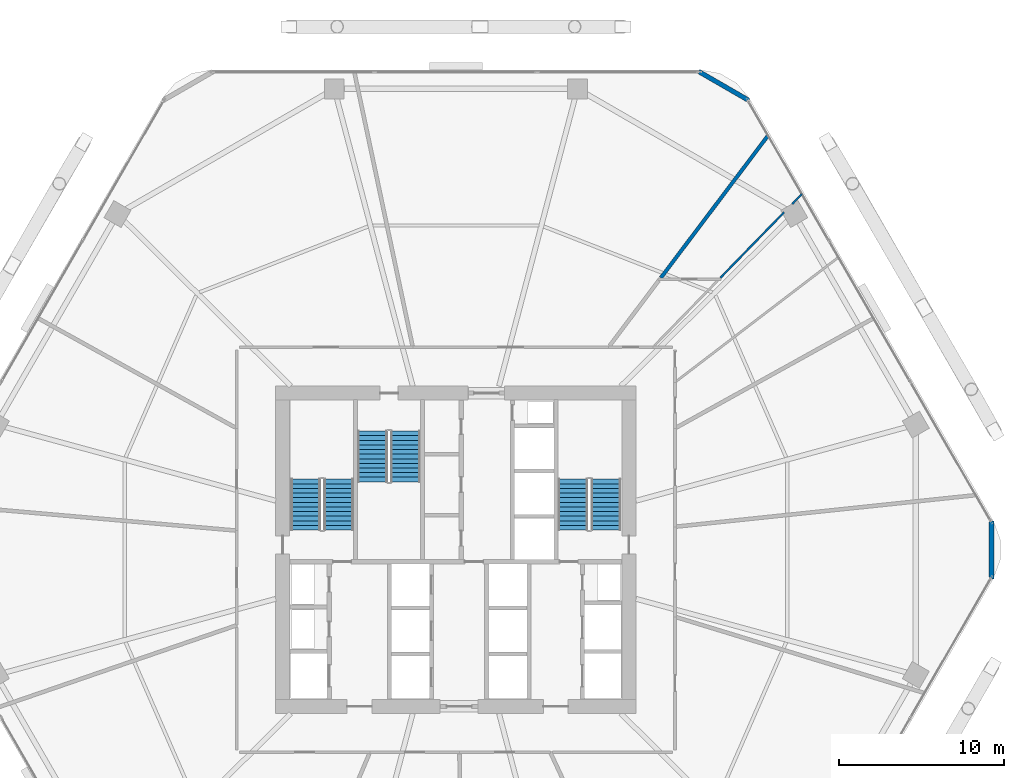
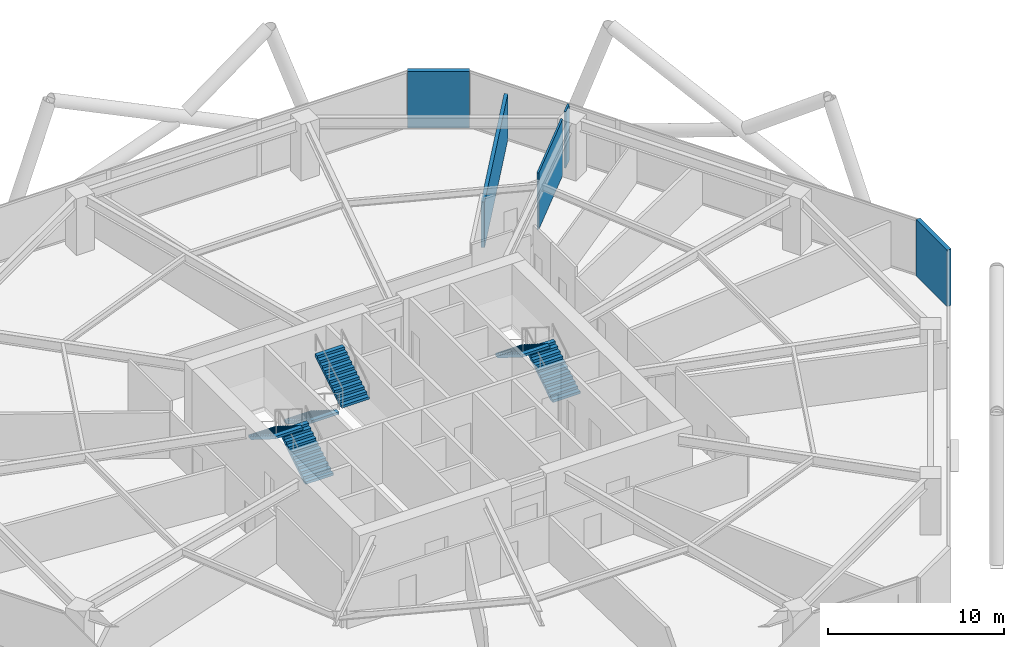
# One storey, part 27 of 30: 6 stair flights, 5 walls, 3 elements without a shape of their own.
"""IFC4 building model written with IfcOpenShell, lengths in metres."""

from ifc_helpers import new_model, si_unit, direction, frame, frame_2d, origin, place, context, subcontext, project, spatial, polyline, rectangle, outline, extrude, material, layer, layer_set, type_object, element, aggregate, save


model = new_model("IFC4")

# Units and contexts
model_context = context("Model", 3, precision=1e-05, world=origin(), true_north=direction((0.0, 1.0)))
body_context = subcontext(model_context, "Body", "Model", "MODEL_VIEW")
ifc_project = project(units=[si_unit("LENGTHUNIT", "METRE"), si_unit("AREAUNIT", "SQUARE_METRE"), si_unit("VOLUMEUNIT", "CUBIC_METRE"), si_unit("PLANEANGLEUNIT", "RADIAN"), si_unit("MASSUNIT", "GRAM", prefix="KILO")], contexts=[model_context])

# Site, building, storey
site_placement = place(None, origin())
site = spatial("IfcSite", under=ifc_project, at=site_placement, CompositionType="ELEMENT")
building_placement = place(site_placement, origin())
building = spatial("IfcBuilding", under=site, at=building_placement, Name="Zuhravey Tower", CompositionType="ELEMENT")
storey_placement = place(building_placement, frame((0.0, 0.0, 58.199951171875)))
storey = spatial("IfcBuildingStorey", under=building, at=storey_placement, Name="L14", CompositionType="ELEMENT", Elevation=58.199951171875)

# Walls
ifc_material_1 = material(Name="Precast concrete C40/50", Category="concrete")
ifc_layer_1 = layer(ifc_material_1, 0.280029296875)
ifc_layer_set_1 = layer_set([ifc_layer_1], Name="Precast concrete C40/50")
wall_type_1 = type_object("IfcWallType", Name="Crown Architectural Wall 280", PredefinedType="SOLIDWALL", material=ifc_layer_set_1)
wall_1_placement = place(storey_placement, frame((50.71728515625, 61.006103515625, 0.0), z_axis=(0.0, 0.0, 1.0), x_axis=(0.866007452331, -0.500031091541, 0.0)))
element("IfcWall", 1, at=wall_1_placement, inside=storey, type_object=wall_type_1, Name="L14 Rounded Corner Closure Wall EW28-10", PredefinedType="SOLIDWALL", context=body_context, shape_type="SweptSolid", body=[
    extrude(rectangle(XDim=3.514892578125, YDim=0.280029296875, at=frame_2d((1.75732421875, 0.0))), origin(), (0.0, 0.0, 1.0), 3.920166015625),
])
wall_2_placement = place(storey_placement, frame((68.478515625, 33.757568359375, 0.0), z_axis=(0.0, 0.0, 1.0), x_axis=(0.0, -1.0, 0.0)))
element("IfcWall", 2, at=wall_2_placement, inside=storey, type_object=wall_type_1, Name="L14 Rounded Corner Closure Wall EW28-12", PredefinedType="SOLIDWALL", context=body_context, shape_type="SweptSolid", body=[
    extrude(rectangle(XDim=3.51513671875, YDim=0.280029296875, at=frame_2d((1.757568359375, 0.0))), origin(), (0.0, 0.0, 1.0), 3.920166015625),
])
ifc_material_2 = material(Name="Gypsum acoustic stud assembly")
ifc_layer_2 = layer(ifc_material_2, 0.219970703125)
ifc_layer_set_2 = layer_set([ifc_layer_2], Name="Gypsum acoustic stud assembly")
wall_type_2 = type_object("IfcWallType", Name="School Acoustic Compartment Wall 220", PredefinedType="PARTITIONING", material=ifc_layer_set_2)
wall_3_placement = place(storey_placement, frame((48.428466796875, 48.492919921875, 0.0), z_axis=(0.0, 0.0, 1.0), x_axis=(0.601802006389, 0.798645318715, 0.0)))
element("IfcWall", 3, at=wall_3_placement, inside=storey, type_object=wall_type_2, Name="L14 IW22 Partition 049", PredefinedType="PARTITIONING", context=body_context, shape_type="SweptSolid", body=[
    extrude(rectangle(XDim=10.807861328125, YDim=0.219970703125, at=frame_2d((5.40380859375, 0.0))), origin(), (0.0, 0.0, 1.0), 3.170166015625),
])
ifc_material_3 = material(Name="Gypsum metal-stud partition")
ifc_layer_3 = layer(ifc_material_3, 0.1201171875)
ifc_layer_set_3 = layer_set([ifc_layer_3], Name="Gypsum metal-stud partition")
wall_type_3 = type_object("IfcWallType", Name="Unit Internal Partition 120", PredefinedType="PARTITIONING", material=ifc_layer_set_3)
wall_4_placement = place(storey_placement, frame((52.038818359375, 48.492919921875, 0.0), z_axis=(0.0, 0.0, 1.0), x_axis=(0.697138835877, 0.716936150234, 0.0)))
element("IfcWall", 4, at=wall_4_placement, inside=storey, type_object=wall_type_3, Name="L14 IW12 Partition 046", PredefinedType="PARTITIONING", context=body_context, shape_type="SweptSolid", body=[
    extrude(rectangle(XDim=5.537109375, YDim=0.1201171875, at=frame_2d((2.7685546875, 0.0))), origin(), (0.0, 0.0, 1.0), 3.920166015625),
])
wall_5_placement = place(storey_placement, frame((56.399169921875, 52.976806640625, 0.0), z_axis=(0.0, 0.0, 1.0), x_axis=(0.69724946606, 0.716828558359, 0.0)))
element("IfcWall", 5, at=wall_5_placement, inside=storey, type_object=wall_type_3, Name="L14 IW12 Partition 047", PredefinedType="PARTITIONING", context=body_context, shape_type="SweptSolid", body=[
    extrude(rectangle(XDim=0.83544921875, YDim=0.1201171875, at=frame_2d((0.417724609375, 0.0))), origin(), (0.0, 0.0, 1.0), 3.920166015625),
])

# Stair, stair flights
ifc_material_4 = material(Name="Concrete C40/50", Category="concrete")
stair_type = type_object("IfcStairType", Name="School Storey Stair Assembly 4200", PredefinedType="HALF_TURN_STAIR", material=ifc_material_4)
stair_1_placement = place(storey_placement, origin())
stair_1 = element("IfcStair", 6, at=stair_1_placement, inside=storey, type_object=stair_type, Name="L14 Core Exit Stair ST1", PredefinedType="HALF_TURN_STAIR")
stair_flight_type = type_object("IfcStairFlightType", Name="School Storey Stair Flight 4200", PredefinedType="STRAIGHT", material=ifc_material_4)
stair_flight_1_placement = place(storey_placement, frame((28.89990234375, 33.199951171875, 0.0), z_axis=(0.0, 0.0, 1.0), x_axis=(0.0, 1.0, 0.0)))
stair_flight_1 = element("IfcStairFlight", 7, at=stair_flight_1_placement, type_object=stair_flight_type, Name="ST1 flight 1", NumberOfRisers=12, NumberOfTreads=11, PredefinedType="STRAIGHT", RiserHeight=0.175, TreadLength=0.28, context=body_context, shape_type="SweptSolid", body=[
    extrude(outline(polyline([(0.0, 0.0), (0.0, 0.175048828125), (0.280029296875, 0.175048828125), (0.280029296875, 0.35009765625), (0.56005859375, 0.35009765625), (0.56005859375, 0.52490234375), (0.840087890625, 0.52490234375), (0.840087890625, 0.699951171875), (1.1201171875, 0.699951171875), (1.1201171875, 0.875), (1.39990234375, 0.875), (1.39990234375, 1.050048828125), (1.679931640625, 1.050048828125), (1.679931640625, 1.22509765625), (1.9599609375, 1.22509765625), (1.9599609375, 1.39990234375), (2.239990234375, 1.39990234375), (2.239990234375, 1.574951171875), (2.52001953125, 1.574951171875), (2.52001953125, 1.75), (2.800048828125, 1.75), (2.800048828125, 1.925048828125), (3.080078125, 1.925048828125), (3.080078125, 2.10009765625), (3.080078125, 1.748291015625), (0.28271484375, 0.0), (0.0, 0.0)])), frame((0.0, 0.89990234375, 0.0), z_axis=(0.0, -1.0, 0.0), x_axis=(1.0, 0.0, 0.0)), (0.0, 0.0, 1.0), 1.800048828125),
])
stair_flight_2_placement = place(storey_placement, frame((26.89990234375, 36.280029296875, 2.10009765625), z_axis=(0.0, 0.0, 1.0), x_axis=(0.0, -1.0, 0.0)))
stair_flight_2 = element("IfcStairFlight", 8, at=stair_flight_2_placement, type_object=stair_flight_type, Name="ST1 flight 2", NumberOfRisers=12, NumberOfTreads=11, PredefinedType="STRAIGHT", RiserHeight=0.175, TreadLength=0.28, context=body_context, shape_type="SweptSolid", body=[
    extrude(outline(polyline([(0.0, 0.0), (0.0, 0.175048828125), (0.280029296875, 0.175048828125), (0.280029296875, 0.35009765625), (0.56005859375, 0.35009765625), (0.56005859375, 0.52490234375), (0.840087890625, 0.52490234375), (0.840087890625, 0.699951171875), (1.1201171875, 0.699951171875), (1.1201171875, 0.875), (1.39990234375, 0.875), (1.39990234375, 1.050048828125), (1.679931640625, 1.050048828125), (1.679931640625, 1.22509765625), (1.9599609375, 1.22509765625), (1.9599609375, 1.39990234375), (2.239990234375, 1.39990234375), (2.239990234375, 1.574951171875), (2.52001953125, 1.574951171875), (2.52001953125, 1.75), (2.800048828125, 1.75), (2.800048828125, 1.925048828125), (3.080078125, 1.925048828125), (3.080078125, 2.10009765625), (3.080078125, 1.748291015625), (0.28271484375, 0.0), (0.0, 0.0)])), frame((0.0, 0.89990234375, 0.0), z_axis=(0.0, -1.0, 0.0), x_axis=(1.0, 0.0, 0.0)), (0.0, 0.0, 1.0), 1.800048828125),
])
aggregate(stair_1, [stair_flight_1, stair_flight_2])

stair_2_placement = place(storey_placement, origin())
stair_2 = element("IfcStair", 9, at=stair_2_placement, inside=storey, type_object=stair_type, Name="L14 Core Exit Stair ST2", PredefinedType="HALF_TURN_STAIR")
stair_flight_3_placement = place(storey_placement, frame((45.10009765625, 33.199951171875, 0.0), z_axis=(0.0, 0.0, 1.0), x_axis=(0.0, 1.0, 0.0)))
stair_flight_3 = element("IfcStairFlight", 10, at=stair_flight_3_placement, type_object=stair_flight_type, Name="ST2 flight 1", NumberOfRisers=12, NumberOfTreads=11, PredefinedType="STRAIGHT", RiserHeight=0.175, TreadLength=0.28, context=body_context, shape_type="SweptSolid", body=[
    extrude(outline(polyline([(0.0, 0.0), (0.0, 0.175048828125), (0.280029296875, 0.175048828125), (0.280029296875, 0.35009765625), (0.56005859375, 0.35009765625), (0.56005859375, 0.52490234375), (0.840087890625, 0.52490234375), (0.840087890625, 0.699951171875), (1.1201171875, 0.699951171875), (1.1201171875, 0.875), (1.39990234375, 0.875), (1.39990234375, 1.050048828125), (1.679931640625, 1.050048828125), (1.679931640625, 1.22509765625), (1.9599609375, 1.22509765625), (1.9599609375, 1.39990234375), (2.239990234375, 1.39990234375), (2.239990234375, 1.574951171875), (2.52001953125, 1.574951171875), (2.52001953125, 1.75), (2.800048828125, 1.75), (2.800048828125, 1.925048828125), (3.080078125, 1.925048828125), (3.080078125, 2.10009765625), (3.080078125, 1.748291015625), (0.28271484375, 0.0), (0.0, 0.0)])), frame((0.0, 0.89990234375, 0.0), z_axis=(0.0, -1.0, 0.0), x_axis=(1.0, 0.0, 0.0)), (0.0, 0.0, 1.0), 1.800048828125),
])
stair_flight_4_placement = place(storey_placement, frame((43.10009765625, 36.280029296875, 2.10009765625), z_axis=(0.0, 0.0, 1.0), x_axis=(0.0, -1.0, 0.0)))
stair_flight_4 = element("IfcStairFlight", 11, at=stair_flight_4_placement, type_object=stair_flight_type, Name="ST2 flight 2", NumberOfRisers=12, NumberOfTreads=11, PredefinedType="STRAIGHT", RiserHeight=0.175, TreadLength=0.28, context=body_context, shape_type="SweptSolid", body=[
    extrude(outline(polyline([(0.0, 0.0), (0.0, 0.175048828125), (0.280029296875, 0.175048828125), (0.280029296875, 0.35009765625), (0.56005859375, 0.35009765625), (0.56005859375, 0.52490234375), (0.840087890625, 0.52490234375), (0.840087890625, 0.699951171875), (1.1201171875, 0.699951171875), (1.1201171875, 0.875), (1.39990234375, 0.875), (1.39990234375, 1.050048828125), (1.679931640625, 1.050048828125), (1.679931640625, 1.22509765625), (1.9599609375, 1.22509765625), (1.9599609375, 1.39990234375), (2.239990234375, 1.39990234375), (2.239990234375, 1.574951171875), (2.52001953125, 1.574951171875), (2.52001953125, 1.75), (2.800048828125, 1.75), (2.800048828125, 1.925048828125), (3.080078125, 1.925048828125), (3.080078125, 2.10009765625), (3.080078125, 1.748291015625), (0.28271484375, 0.0), (0.0, 0.0)])), frame((0.0, 0.89990234375, 0.0), z_axis=(0.0, -1.0, 0.0), x_axis=(1.0, 0.0, 0.0)), (0.0, 0.0, 1.0), 1.800048828125),
])
aggregate(stair_2, [stair_flight_3, stair_flight_4])

stair_3_placement = place(storey_placement, origin())
stair_3 = element("IfcStair", 12, at=stair_3_placement, inside=storey, type_object=stair_type, Name="L14 Core Exit Stair ST3", PredefinedType="HALF_TURN_STAIR")
stair_flight_5_placement = place(storey_placement, frame((30.949951171875, 39.199951171875, 0.0), z_axis=(0.0, 0.0, 1.0), x_axis=(0.0, -1.0, 0.0)))
stair_flight_5 = element("IfcStairFlight", 13, at=stair_flight_5_placement, type_object=stair_flight_type, Name="ST3 flight 1", NumberOfRisers=12, NumberOfTreads=11, PredefinedType="STRAIGHT", RiserHeight=0.175, TreadLength=0.28, context=body_context, shape_type="SweptSolid", body=[
    extrude(outline(polyline([(0.0, 0.0), (0.0, 0.175048828125), (0.280029296875, 0.175048828125), (0.280029296875, 0.35009765625), (0.56005859375, 0.35009765625), (0.56005859375, 0.52490234375), (0.840087890625, 0.52490234375), (0.840087890625, 0.699951171875), (1.1201171875, 0.699951171875), (1.1201171875, 0.875), (1.39990234375, 0.875), (1.39990234375, 1.050048828125), (1.679931640625, 1.050048828125), (1.679931640625, 1.22509765625), (1.9599609375, 1.22509765625), (1.9599609375, 1.39990234375), (2.239990234375, 1.39990234375), (2.239990234375, 1.574951171875), (2.52001953125, 1.574951171875), (2.52001953125, 1.75), (2.800048828125, 1.75), (2.800048828125, 1.925048828125), (3.080078125, 1.925048828125), (3.080078125, 2.10009765625), (3.080078125, 1.748291015625), (0.28271484375, 0.0), (0.0, 0.0)])), frame((0.0, 0.89990234375, 0.0), z_axis=(0.0, -1.0, 0.0), x_axis=(1.0, 0.0, 0.0)), (0.0, 0.0, 1.0), 1.800048828125),
])
stair_flight_6_placement = place(storey_placement, frame((32.949951171875, 36.1201171875, 2.10009765625), z_axis=(0.0, 0.0, 1.0), x_axis=(0.0, 1.0, 0.0)))
stair_flight_6 = element("IfcStairFlight", 14, at=stair_flight_6_placement, type_object=stair_flight_type, Name="ST3 flight 2", NumberOfRisers=12, NumberOfTreads=11, PredefinedType="STRAIGHT", RiserHeight=0.175, TreadLength=0.28, context=body_context, shape_type="SweptSolid", body=[
    extrude(outline(polyline([(0.0, 0.0), (0.0, 0.175048828125), (0.280029296875, 0.175048828125), (0.280029296875, 0.35009765625), (0.56005859375, 0.35009765625), (0.56005859375, 0.52490234375), (0.840087890625, 0.52490234375), (0.840087890625, 0.699951171875), (1.1201171875, 0.699951171875), (1.1201171875, 0.875), (1.39990234375, 0.875), (1.39990234375, 1.050048828125), (1.679931640625, 1.050048828125), (1.679931640625, 1.22509765625), (1.9599609375, 1.22509765625), (1.9599609375, 1.39990234375), (2.239990234375, 1.39990234375), (2.239990234375, 1.574951171875), (2.52001953125, 1.574951171875), (2.52001953125, 1.75), (2.800048828125, 1.75), (2.800048828125, 1.925048828125), (3.080078125, 1.925048828125), (3.080078125, 2.10009765625), (3.080078125, 1.748291015625), (0.28271484375, 0.0), (0.0, 0.0)])), frame((0.0, 0.89990234375, 0.0), z_axis=(0.0, -1.0, 0.0), x_axis=(1.0, 0.0, 0.0)), (0.0, 0.0, 1.0), 1.800048828125),
])
aggregate(stair_3, [stair_flight_5, stair_flight_6])

save(model, "model.ifc")
